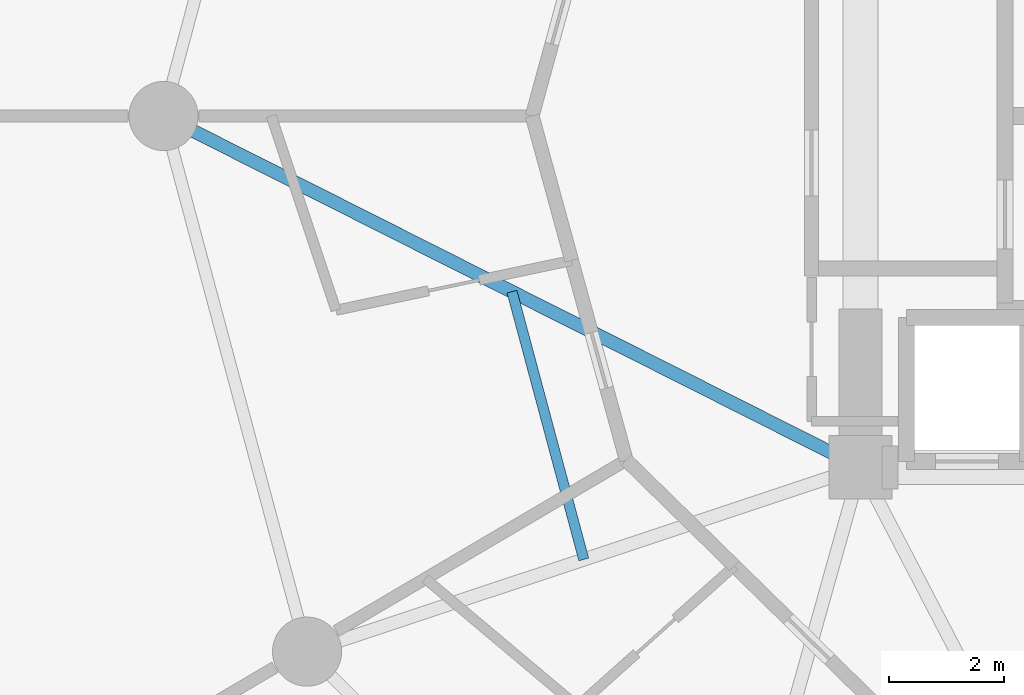
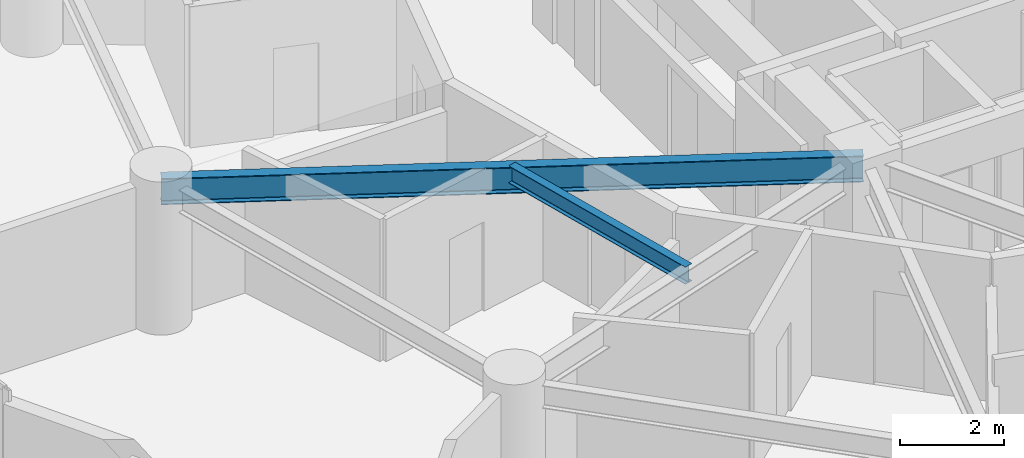
# One storey, part 5 of 26: 2 beams.
"""IFC4 building model written with IfcOpenShell, lengths in metres."""

from ifc_helpers import new_model, si_unit, direction, frame, origin, origin_2d, place, context, subcontext, project, spatial, i_section, extrude, material, material_profile, profile_set, type_object, element, save


model = new_model("IFC4")

# Units and contexts
model_context = context("Model", 3, precision=1e-05, world=origin(), true_north=direction((0.0, 1.0)))
body_context = subcontext(model_context, "Body", "Model", "MODEL_VIEW")
ifc_project = project(units=[si_unit("LENGTHUNIT", "METRE"), si_unit("AREAUNIT", "SQUARE_METRE"), si_unit("VOLUMEUNIT", "CUBIC_METRE"), si_unit("PLANEANGLEUNIT", "RADIAN"), si_unit("MASSUNIT", "GRAM", prefix="KILO")], contexts=[model_context])

# Site, building, storey
site_placement = place(None, origin())
site = spatial("IfcSite", under=ifc_project, at=site_placement, CompositionType="ELEMENT")
building_placement = place(site_placement, origin())
building = spatial("IfcBuilding", under=site, at=building_placement, Name="Solvirekh Grand Hotel", CompositionType="ELEMENT")
storey_placement = place(building_placement, frame((0.0, 0.0, 35.60009765625)))
storey = spatial("IfcBuildingStorey", under=building, at=storey_placement, Name="L07", CompositionType="ELEMENT", Elevation=35.60009765625)

# Beams
ifc_material = material(Name="Steel S355", Category="steel")
ifc_material_profile_1 = material_profile(ifc_material, i_section(OverallWidth=0.22802734375, OverallDepth=0.616943359375, WebThickness=0.012939453125, FlangeThickness=0.02001953125, FilletRadius=0.014892578125, at=origin_2d()), Name="W610X140")
ifc_profile_set_1 = profile_set([ifc_material_profile_1], Name="Steel S355")
beam_type_1 = type_object("IfcBeamType", Name="Beam_Radial_W610", PredefinedType="BEAM", material=ifc_profile_set_1)
beam_1_placement = place(storey_placement, frame((-6.5, -6.10009765625, 3.031005859375), z_axis=(-0.892944939011, 0.450165898191, 0.0), x_axis=(-0.450165898191, -0.892944939011, 0.0)))
element("IfcBeam", 1, at=beam_1_placement, inside=storey, type_object=beam_type_1, Name="L07 radial floor beam R07", PredefinedType="BEAM", context=body_context, shape_type="SweptSolid", body=[
    extrude(i_section(OverallWidth=0.22802734375, OverallDepth=0.616943359375, WebThickness=0.012939453125, FlangeThickness=0.02001953125, FilletRadius=0.014892578125, at=origin_2d()), origin(), (0.0, 0.0, 1.0), 13.55078125),
])
ifc_material_profile_2 = material_profile(ifc_material, i_section(OverallWidth=0.177978515625, OverallDepth=0.406982421875, WebThickness=0.008056640625, FlangeThickness=0.011962890625, FilletRadius=0.011962890625, at=origin_2d()), Name="W410X60")
ifc_profile_set_2 = profile_set([ifc_material_profile_2], Name="Steel S355")
beam_type_2 = type_object("IfcBeamType", Name="Joist_Floor_W410", PredefinedType="JOIST", material=ifc_profile_set_2)
beam_2_placement = place(storey_placement, frame((-12.550048828125, -3.050048828125, 3.135986328125), z_axis=(0.258849313227, -0.965917715461, 0.0), x_axis=(0.965917715461, 0.258849313227, 0.0)))
element("IfcBeam", 2, at=beam_2_placement, inside=storey, type_object=beam_type_2, Name="L07 secondary composite floor joist 7", PredefinedType="JOIST", context=body_context, shape_type="SweptSolid", body=[
    extrude(i_section(OverallWidth=0.177978515625, OverallDepth=0.406982421875, WebThickness=0.008056640625, FlangeThickness=0.011962890625, FilletRadius=0.011962890625, at=origin_2d()), origin(), (0.0, 0.0, 1.0), 4.81396484375),
])

save(model, "model.ifc")
